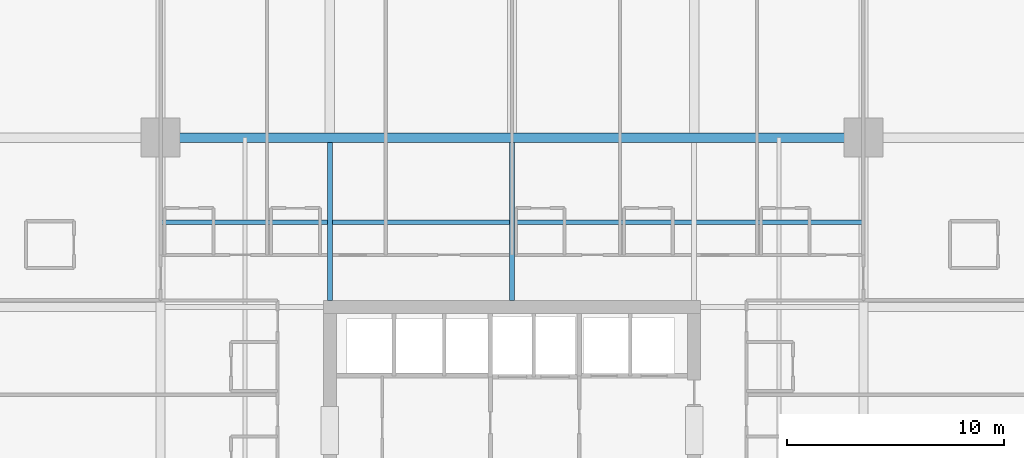
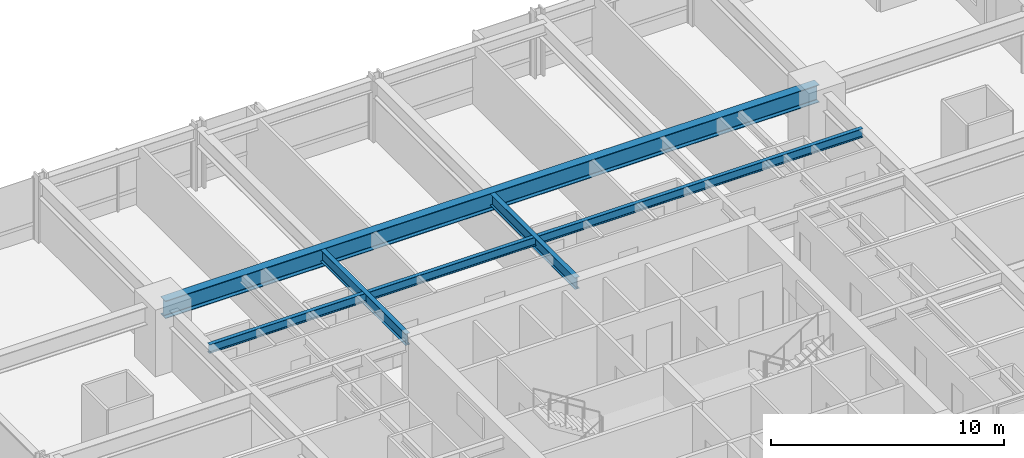
# One storey, part 20 of 42: 4 beams.
"""IFC4 building model written with IfcOpenShell, lengths in metres."""

from ifc_helpers import new_model, si_unit, direction, frame, origin, origin_2d, place, context, subcontext, project, spatial, i_section, extrude, material, material_profile, profile_set, type_object, element, save


model = new_model("IFC4")

# Units and contexts
model_context = context("Model", 3, precision=1e-05, world=origin(), true_north=direction((0.0, 1.0)))
body_context = subcontext(model_context, "Body", "Model", "MODEL_VIEW")
ifc_project = project(units=[si_unit("LENGTHUNIT", "METRE"), si_unit("AREAUNIT", "SQUARE_METRE"), si_unit("VOLUMEUNIT", "CUBIC_METRE"), si_unit("PLANEANGLEUNIT", "RADIAN"), si_unit("MASSUNIT", "GRAM", prefix="KILO")], contexts=[model_context])

# Site, building, storey
site_placement = place(None, origin())
site = spatial("IfcSite", under=ifc_project, at=site_placement, CompositionType="ELEMENT")
building_placement = place(site_placement, origin())
building = spatial("IfcBuilding", under=site, at=building_placement, Name="Drelvath Grand Hotel", CompositionType="ELEMENT")
storey_placement = place(building_placement, frame((0.0, 0.0, 33.199951171875)))
storey = spatial("IfcBuildingStorey", under=building, at=storey_placement, Name="L06", CompositionType="ELEMENT", Elevation=33.199951171875)

# Beams
ifc_material = material(Name="Steel ASTM A992 Gr 50", Category="steel")
ifc_material_profile_1 = material_profile(ifc_material, i_section(OverallWidth=0.19140625, OverallDepth=0.4599609375, WebThickness=0.010009765625, FlangeThickness=0.01611328125, FilletRadius=0.01611328125, at=origin_2d()), Name="W18X55")
ifc_profile_set_1 = profile_set([ifc_material_profile_1], Name="Steel ASTM A992 Gr 50")
beam_type_1 = type_object("IfcBeamType", Name="Composite Floor Joist W18X55", PredefinedType="JOIST", material=ifc_profile_set_1)
beam_1_placement = place(storey_placement, frame((-16.199951171875, 39.300048828125, 3.010009765625), z_axis=(1.0, 0.0, 0.0), x_axis=(0.0, 1.0, 0.0)))
element("IfcBeam", 1, at=beam_1_placement, inside=storey, type_object=beam_type_1, Name="L06 Floor Joist J2", PredefinedType="JOIST", context=body_context, shape_type="SweptSolid", body=[
    extrude(i_section(OverallWidth=0.19140625, OverallDepth=0.4599609375, WebThickness=0.010009765625, FlangeThickness=0.01611328125, FilletRadius=0.01611328125, at=origin_2d()), origin(), (0.0, 0.0, 1.0), 32.39990234375),
])
ifc_material_profile_2 = material_profile(ifc_material, i_section(OverallWidth=0.228271484375, OverallDepth=0.607666015625, WebThickness=0.01123046875, FlangeThickness=0.017333984375, FilletRadius=0.02001953125, at=origin_2d()), Name="W24X76")
ifc_profile_set_2 = profile_set([ifc_material_profile_2], Name="Steel ASTM A992 Gr 50")
beam_type_2 = type_object("IfcBeamType", Name="Primary Floor Girder W24X76", PredefinedType="BEAM", material=ifc_profile_set_2)
for number, where, z_axis, x_axis, name in (
    (2, (-8.39990234375, 35.699951171875, 2.936279296875), (0.0, 1.0, 0.0), (-1.0, 0.0, 0.0), "L06 North Core Tie 4"),
    (3, (0.0, 35.699951171875, 2.936279296875), (0.0, 1.0, 0.0), (-1.0, 0.0, 0.0), "L06 North Core Tie 5"),
):
    element("IfcBeam", number, at=place(storey_placement, frame(where, z_axis=z_axis, x_axis=x_axis)), inside=storey, type_object=beam_type_2, Name=name, PredefinedType="BEAM", context=body_context, shape_type="SweptSolid", body=[
        extrude(i_section(OverallWidth=0.228271484375, OverallDepth=0.607666015625, WebThickness=0.01123046875, FlangeThickness=0.017333984375, FilletRadius=0.02001953125, at=origin_2d()), origin(), (0.0, 0.0, 1.0), 7.290771484375),
    ])
ifc_material_profile_3 = material_profile(ifc_material, i_section(OverallWidth=0.418212890625, OverallDepth=0.926513671875, WebThickness=0.019287109375, FlangeThickness=0.031982421875, FilletRadius=0.028076171875, at=origin_2d()), Name="W36X231")
ifc_profile_set_3 = profile_set([ifc_material_profile_3], Name="Steel ASTM A992 Gr 50")
beam_type_3 = type_object("IfcBeamType", Name="Primary Floor Girder W36X231", PredefinedType="BEAM", material=ifc_profile_set_3)
beam_2_placement = place(storey_placement, frame((-16.199951171875, 43.199951171875, 2.77685546875), z_axis=(1.0, 0.0, 0.0), x_axis=(0.0, 1.0, 0.0)))
element("IfcBeam", 4, at=beam_2_placement, inside=storey, type_object=beam_type_3, Name="L06 Mega Ring Girder North", PredefinedType="BEAM", context=body_context, shape_type="SweptSolid", body=[
    extrude(i_section(OverallWidth=0.418212890625, OverallDepth=0.926513671875, WebThickness=0.019287109375, FlangeThickness=0.031982421875, FilletRadius=0.028076171875, at=origin_2d()), origin(), (0.0, 0.0, 1.0), 32.39990234375),
])

save(model, "model.ifc")
